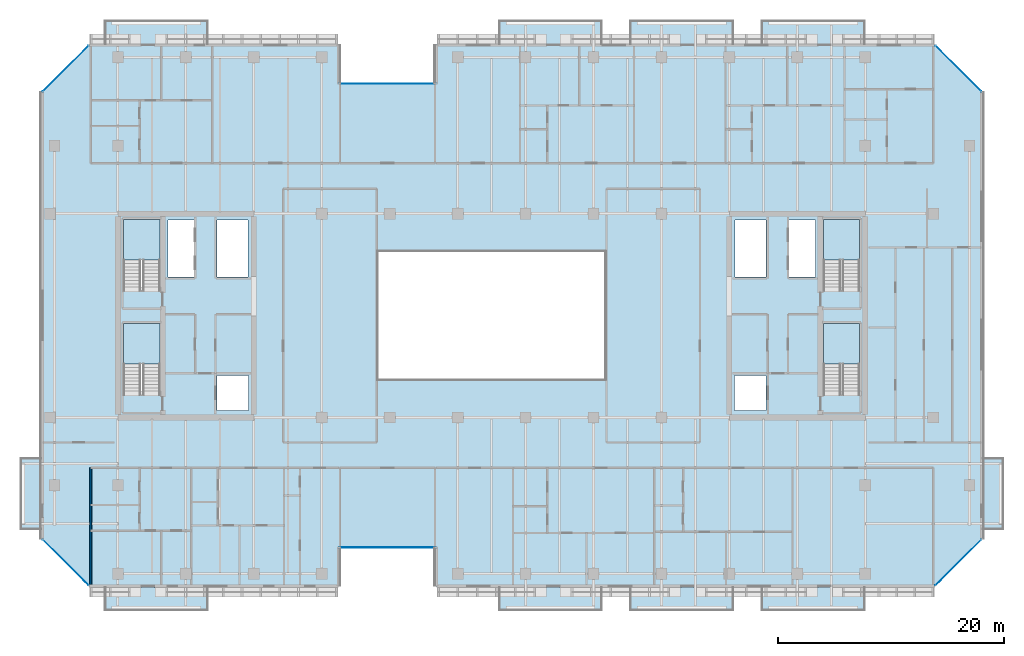
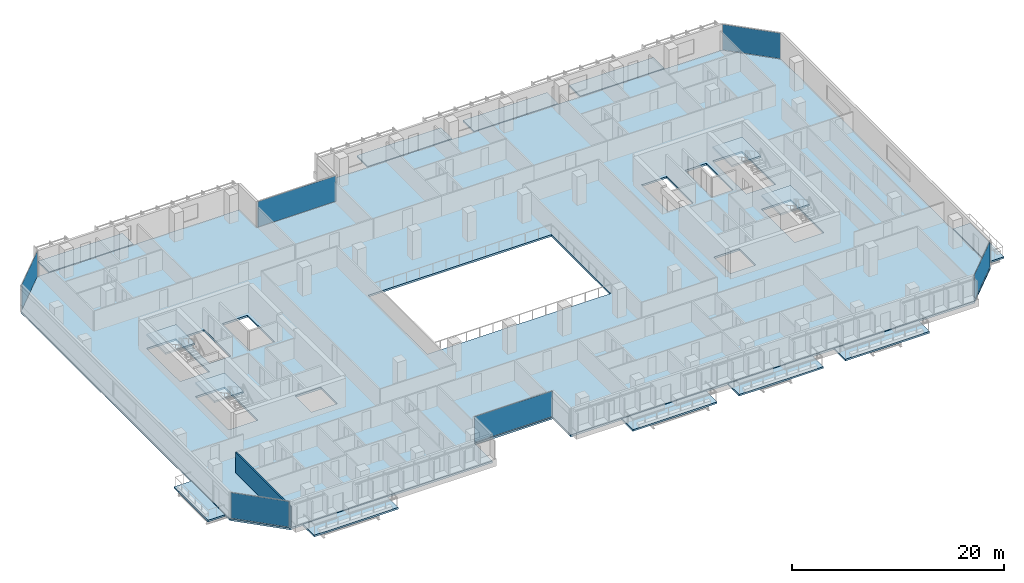
# One storey, part 20 of 33: 15 slabs, 6 plates, 1 wall, 10 elements without a shape of their own.
"""IFC4 building model written with IfcOpenShell, lengths in metres."""

from ifc_helpers import new_model, si_unit, direction, frame, frame_2d, origin, origin_2d, place, context, subcontext, project, spatial, polyline, rectangle, outline, extrude, material, layer, layer_set, type_object, element, aggregate, save


model = new_model("IFC4")

# Units and contexts
model_context = context("Model", 3, precision=1e-05, world=origin(), true_north=direction((0.0, 1.0)))
body_context = subcontext(model_context, "Body", "Model", "MODEL_VIEW")
ifc_project = project(units=[si_unit("LENGTHUNIT", "METRE"), si_unit("AREAUNIT", "SQUARE_METRE"), si_unit("VOLUMEUNIT", "CUBIC_METRE"), si_unit("PLANEANGLEUNIT", "RADIAN"), si_unit("MASSUNIT", "GRAM", prefix="KILO")], contexts=[model_context])

# Site, building, storey
site_placement = place(None, origin())
site = spatial("IfcSite", under=ifc_project, at=site_placement, CompositionType="ELEMENT")
building_placement = place(site_placement, origin())
building = spatial("IfcBuilding", under=site, at=building_placement, Name="Tanjung Sevakor Pilgrim Tower", CompositionType="ELEMENT")
storey_placement = place(building_placement, frame((0.0, 0.0, 95.3701171875)))
storey = spatial("IfcBuildingStorey", under=building, at=storey_placement, Name="L26", CompositionType="ELEMENT", Elevation=95.3701171875)

# Slabs
ifc_material_1 = material(Name="Concrete C40/50", Category="concrete")
ifc_layer_1 = layer(ifc_material_1, 0.199951171875)
ifc_layer_set_1 = layer_set([ifc_layer_1], Name="SL-BAL-200")
slab_type_1 = type_object("IfcSlabType", Name="SL-BAL-200", PredefinedType="FLOOR", material=ifc_layer_set_1)
slab_1_placement = place(storey_placement, frame((0.0, 0.0, -0.2001953125)))
element("IfcSlab", 1, at=slab_1_placement, inside=storey, type_object=slab_type_1, Name="L26 Planted Loggia Balcony MAIN-S1", PredefinedType="FLOOR", context=body_context, shape_type="SweptSolid", body=[
    extrude(outline(polyline([(22.800048828125, 7.5), (32.0, 7.5), (32.0, 9.60009765625), (22.800048828125, 9.60009765625), (22.800048828125, 7.5)])), origin(), (0.0, 0.0, 1.0), 0.2001953125),
])
slab_2_placement = place(storey_placement, frame((0.0, 0.0, -0.2001953125)))
element("IfcSlab", 2, at=slab_2_placement, inside=storey, type_object=slab_type_1, Name="L26 Planted Loggia Balcony MAIN-N1", PredefinedType="FLOOR", context=body_context, shape_type="SweptSolid", body=[
    extrude(outline(polyline([(22.800048828125, 57.60009765625), (32.0, 57.60009765625), (32.0, 59.699951171875), (22.800048828125, 59.699951171875), (22.800048828125, 57.60009765625)])), origin(), (0.0, 0.0, 1.0), 0.2001953125),
])
slab_3_placement = place(storey_placement, frame((0.0, 0.0, -0.2001953125)))
element("IfcSlab", 3, at=slab_3_placement, inside=storey, type_object=slab_type_1, Name="L26 Planted Loggia Balcony MAIN-S2", PredefinedType="FLOOR", context=body_context, shape_type="SweptSolid", body=[
    extrude(outline(polyline([(57.60009765625, 7.5), (66.800048828125, 7.5), (66.800048828125, 9.60009765625), (57.60009765625, 9.60009765625), (57.60009765625, 7.5)])), origin(), (0.0, 0.0, 1.0), 0.2001953125),
])
slab_4_placement = place(storey_placement, frame((0.0, 0.0, -0.2001953125)))
element("IfcSlab", 4, at=slab_4_placement, inside=storey, type_object=slab_type_1, Name="L26 Planted Loggia Balcony MAIN-N2", PredefinedType="FLOOR", context=body_context, shape_type="SweptSolid", body=[
    extrude(outline(polyline([(57.60009765625, 57.60009765625), (66.800048828125, 57.60009765625), (66.800048828125, 59.699951171875), (57.60009765625, 59.699951171875), (57.60009765625, 57.60009765625)])), origin(), (0.0, 0.0, 1.0), 0.2001953125),
])
slab_5_placement = place(storey_placement, frame((0.0, 0.0, -0.2001953125)))
element("IfcSlab", 5, at=slab_5_placement, inside=storey, type_object=slab_type_1, Name="L26 Planted Loggia Balcony MAIN-S3", PredefinedType="FLOOR", context=body_context, shape_type="SweptSolid", body=[
    extrude(outline(polyline([(69.199951171875, 7.5), (78.39990234375, 7.5), (78.39990234375, 9.60009765625), (69.199951171875, 9.60009765625), (69.199951171875, 7.5)])), origin(), (0.0, 0.0, 1.0), 0.2001953125),
])
slab_6_placement = place(storey_placement, frame((0.0, 0.0, -0.2001953125)))
element("IfcSlab", 6, at=slab_6_placement, inside=storey, type_object=slab_type_1, Name="L26 Planted Loggia Balcony MAIN-N3", PredefinedType="FLOOR", context=body_context, shape_type="SweptSolid", body=[
    extrude(outline(polyline([(69.199951171875, 57.60009765625), (78.39990234375, 57.60009765625), (78.39990234375, 59.699951171875), (69.199951171875, 59.699951171875), (69.199951171875, 57.60009765625)])), origin(), (0.0, 0.0, 1.0), 0.2001953125),
])
slab_7_placement = place(storey_placement, frame((0.0, 0.0, -0.2001953125)))
element("IfcSlab", 7, at=slab_7_placement, inside=storey, type_object=slab_type_1, Name="L26 Planted Loggia Balcony MAIN-S4", PredefinedType="FLOOR", context=body_context, shape_type="SweptSolid", body=[
    extrude(outline(polyline([(80.800048828125, 7.5), (90.0, 7.5), (90.0, 9.60009765625), (80.800048828125, 9.60009765625), (80.800048828125, 7.5)])), origin(), (0.0, 0.0, 1.0), 0.2001953125),
])
slab_8_placement = place(storey_placement, frame((0.0, 0.0, -0.2001953125)))
element("IfcSlab", 8, at=slab_8_placement, inside=storey, type_object=slab_type_1, Name="L26 Planted Loggia Balcony MAIN-N4", PredefinedType="FLOOR", context=body_context, shape_type="SweptSolid", body=[
    extrude(outline(polyline([(80.800048828125, 57.60009765625), (90.0, 57.60009765625), (90.0, 59.699951171875), (80.800048828125, 59.699951171875), (80.800048828125, 57.60009765625)])), origin(), (0.0, 0.0, 1.0), 0.2001953125),
])
slab_9_placement = place(storey_placement, frame((0.0, 0.0, -0.2001953125)))
element("IfcSlab", 9, at=slab_9_placement, inside=storey, type_object=slab_type_1, Name="L26 Planted Loggia Balcony MAIN-W1", PredefinedType="FLOOR", context=body_context, shape_type="SweptSolid", body=[
    extrude(outline(polyline([(15.35009765625, 14.64990234375), (17.199951171875, 14.64990234375), (17.199951171875, 21.050048828125), (15.35009765625, 21.050048828125), (15.35009765625, 14.64990234375)])), origin(), (0.0, 0.0, 1.0), 0.2001953125),
])
slab_10_placement = place(storey_placement, frame((0.0, 0.0, -0.2001953125)))
element("IfcSlab", 10, at=slab_10_placement, inside=storey, type_object=slab_type_1, Name="L26 Planted Loggia Balcony MAIN-E1", PredefinedType="FLOOR", context=body_context, shape_type="SweptSolid", body=[
    extrude(outline(polyline([(100.39990234375, 14.64990234375), (102.25, 14.64990234375), (102.25, 21.050048828125), (100.39990234375, 21.050048828125), (100.39990234375, 14.64990234375)])), origin(), (0.0, 0.0, 1.0), 0.2001953125),
])

# Stair, slab
ifc_material_2 = material(Name="Concrete C40/50", Category="concrete")
stair_type = type_object("IfcStairType", Name="STAIR-ST-CR150", PredefinedType="HALF_TURN_STAIR", material=ifc_material_2)
stair_1_placement = place(storey_placement, origin())
stair_1 = element("IfcStair", 11, at=stair_1_placement, inside=storey, type_object=stair_type, Name="L26 West Core Exit Stair 1", PredefinedType="HALF_TURN_STAIR")
ifc_material_3 = material(Name="Concrete C40/50", Category="concrete")
ifc_layer_2 = layer(ifc_material_3, 0.199951171875)
ifc_layer_set_2 = layer_set([ifc_layer_2], Name="SL-LAND-200")
slab_type_2 = type_object("IfcSlabType", Name="SL-LAND-200", PredefinedType="LANDING", material=ifc_layer_set_2)
slab_11_placement = place(storey_placement, frame((0.0, 0.0, 1.449951171875)))
slab_11 = element("IfcSlab", 12, at=slab_11_placement, type_object=slab_type_2, Name="TS-W1 landing 1", PredefinedType="LANDING", context=body_context, shape_type="SweptSolid", body=[
    extrude(outline(polyline([(27.699951171875, 29.300048828125), (27.699951171875, 32.89990234375), (24.5, 32.89990234375), (24.5, 29.300048828125), (27.699951171875, 29.300048828125)])), origin(), (0.0, 0.0, 1.0), 0.199951171875),
])
aggregate(stair_1, [slab_11])

stair_2_placement = place(storey_placement, origin())
stair_2 = element("IfcStair", 13, at=stair_2_placement, inside=storey, type_object=stair_type, Name="L26 West Core Exit Stair 2", PredefinedType="HALF_TURN_STAIR")
slab_12_placement = place(storey_placement, frame((0.0, 0.0, 1.449951171875)))
slab_12 = element("IfcSlab", 14, at=slab_12_placement, type_object=slab_type_2, Name="TS-W2 landing 1", PredefinedType="LANDING", context=body_context, shape_type="SweptSolid", body=[
    extrude(outline(polyline([(27.699951171875, 38.5), (27.699951171875, 42.10009765625), (24.5, 42.10009765625), (24.5, 38.5), (27.699951171875, 38.5)])), origin(), (0.0, 0.0, 1.0), 0.199951171875),
])
aggregate(stair_2, [slab_12])

stair_3_placement = place(storey_placement, origin())
stair_3 = element("IfcStair", 15, at=stair_3_placement, inside=storey, type_object=stair_type, Name="L26 East Core Exit Stair 1", PredefinedType="HALF_TURN_STAIR")
slab_13_placement = place(storey_placement, frame((0.0, 0.0, 1.449951171875)))
slab_13 = element("IfcSlab", 16, at=slab_13_placement, type_object=slab_type_2, Name="TS-E1 landing 1", PredefinedType="LANDING", context=body_context, shape_type="SweptSolid", body=[
    extrude(outline(polyline([(89.5, 29.300048828125), (89.5, 32.89990234375), (86.300048828125, 32.89990234375), (86.300048828125, 29.300048828125), (89.5, 29.300048828125)])), origin(), (0.0, 0.0, 1.0), 0.199951171875),
])
aggregate(stair_3, [slab_13])

stair_4_placement = place(storey_placement, origin())
stair_4 = element("IfcStair", 17, at=stair_4_placement, inside=storey, type_object=stair_type, Name="L26 East Core Exit Stair 2", PredefinedType="HALF_TURN_STAIR")
slab_14_placement = place(storey_placement, frame((0.0, 0.0, 1.449951171875)))
slab_14 = element("IfcSlab", 18, at=slab_14_placement, type_object=slab_type_2, Name="TS-E2 landing 1", PredefinedType="LANDING", context=body_context, shape_type="SweptSolid", body=[
    extrude(outline(polyline([(89.5, 38.5), (89.5, 42.10009765625), (86.300048828125, 42.10009765625), (86.300048828125, 38.5), (89.5, 38.5)])), origin(), (0.0, 0.0, 1.0), 0.199951171875),
])
aggregate(stair_4, [slab_14])

# Slab
ifc_material_4 = material(Name="Concrete C40/50", Category="concrete")
ifc_layer_3 = layer(ifc_material_4, 0.219970703125)
ifc_layer_set_3 = layer_set([ifc_layer_3], Name="SL-TWR-220")
slab_type_3 = type_object("IfcSlabType", Name="SL-TWR-220", PredefinedType="FLOOR", material=ifc_layer_set_3)
slab_15_placement = place(storey_placement, frame((0.0, 0.0, -0.22021484375)))
element("IfcSlab", 19, at=slab_15_placement, inside=storey, type_object=slab_type_3, Name="L26 Floor Slab MAIN", PredefinedType="FLOOR", context=body_context, shape_type="SweptSolid", body=[
    extrude(outline(polyline([(21.447021484375, 9.679931640625), (43.52001953125, 9.679931640625), (43.52001953125, 13.080078125), (52.080078125, 13.080078125), (52.080078125, 9.679931640625), (96.153076171875, 9.679931640625), (100.320068359375, 13.846923828125), (100.320068359375, 53.35302734375), (96.153076171875, 57.52001953125), (52.080078125, 57.52001953125), (52.080078125, 54.1201171875), (43.52001953125, 54.1201171875), (43.52001953125, 57.52001953125), (21.447021484375, 57.52001953125), (17.280029296875, 53.35302734375), (17.280029296875, 13.846923828125), (21.447021484375, 9.679931640625)]), holes=[polyline([(27.699951171875, 26.60009765625), (27.699951171875, 32.89990234375), (24.5, 32.89990234375), (24.5, 26.60009765625), (27.699951171875, 26.60009765625)]), polyline([(27.699951171875, 35.800048828125), (27.699951171875, 42.10009765625), (24.5, 42.10009765625), (24.5, 35.800048828125), (27.699951171875, 35.800048828125)]), polyline([(89.5, 26.60009765625), (89.5, 32.89990234375), (86.300048828125, 32.89990234375), (86.300048828125, 26.60009765625), (89.5, 26.60009765625)]), polyline([(89.5, 35.800048828125), (89.5, 42.10009765625), (86.300048828125, 42.10009765625), (86.300048828125, 35.800048828125), (89.5, 35.800048828125)]), polyline([(32.75, 25.199951171875), (35.550048828125, 25.199951171875), (35.550048828125, 28.300048828125), (32.75, 28.300048828125), (32.75, 25.199951171875)]), polyline([(28.39990234375, 37.0), (30.75, 37.0), (30.75, 42.050048828125), (28.39990234375, 42.050048828125), (28.39990234375, 37.0)]), polyline([(32.75, 37.0), (35.5, 37.0), (35.5, 42.050048828125), (32.75, 42.050048828125), (32.75, 37.0)]), polyline([(78.449951171875, 25.199951171875), (81.25, 25.199951171875), (81.25, 28.300048828125), (78.449951171875, 28.300048828125), (78.449951171875, 25.199951171875)]), polyline([(83.25, 37.0), (85.60009765625, 37.0), (85.60009765625, 42.050048828125), (83.25, 42.050048828125), (83.25, 37.0)]), polyline([(78.5, 37.0), (81.25, 37.0), (81.25, 42.050048828125), (78.5, 42.050048828125), (78.5, 37.0)]), polyline([(47.0, 28.0), (67.0, 28.0), (67.0, 39.199951171875), (47.0, 39.199951171875), (47.0, 28.0)])]), origin(), (0.0, 0.0, 1.0), 0.22021484375),
])

# Curtain wall, plate
ifc_material_5 = material(Name="Aluminium 6063-T6 and Low-E Glass", Category="aluminium")
ifc_layer_4 = layer(ifc_material_5, 0.179931640625)
ifc_layer_set_4 = layer_set([ifc_layer_4], Name="CW-SYS-CLEFT")
curtain_wall_type_1 = type_object("IfcCurtainWallType", Name="CW-SYS-CLEFT", PredefinedType="NOTDEFINED", material=ifc_layer_set_4)
curtain_wall_1_placement = place(storey_placement, origin())
curtain_wall_1 = element("IfcCurtainWall", 20, at=curtain_wall_1_placement, inside=storey, type_object=curtain_wall_type_1, Name="L26 Curtain Wall CW-CLF-L26-2", PredefinedType="NOTDEFINED")
ifc_material_6 = material(Name="Laminated Low-E Double Glazing", Category="glass")
ifc_layer_5 = layer(ifc_material_6, 0.028076171875)
ifc_layer_set_5 = layer_set([ifc_layer_5], Name="TYPE-CWP-GLZ1")
plate_type = type_object("IfcPlateType", Name="TYPE-CWP-GLZ1", PredefinedType="CURTAIN_PANEL", material=ifc_layer_set_5)
plate_1_placement = place(storey_placement, frame((47.800048828125, 13.125, 0.06494140625), z_axis=(0.0, 0.0, 1.0), x_axis=(1.0, 0.0, 0.0)))
plate_1 = element("IfcPlate", 21, at=plate_1_placement, type_object=plate_type, Name="CW-CLF panel 1.1", PredefinedType="CURTAIN_PANEL", context=body_context, shape_type="SweptSolid", body=[
    extrude(rectangle(XDim=8.5, YDim=0.028076171875, at=origin_2d()), origin(), (0.0, 0.0, 1.0), 2.949951171875),
])
aggregate(curtain_wall_1, [plate_1])

ifc_material_7 = material(Name="Aluminium 6063-T6 and Low-E Glass", Category="aluminium")
ifc_layer_6 = layer(ifc_material_7, 0.179931640625)
ifc_layer_set_6 = layer_set([ifc_layer_6], Name="CW-SYS-CHAM")
curtain_wall_type_2 = type_object("IfcCurtainWallType", Name="CW-SYS-CHAM", PredefinedType="NOTDEFINED", material=ifc_layer_set_6)
curtain_wall_2_placement = place(storey_placement, origin())
curtain_wall_2 = element("IfcCurtainWall", 22, at=curtain_wall_2_placement, inside=storey, type_object=curtain_wall_type_2, Name="L26 Curtain Wall CW-CHM-L26-MAIN-5", PredefinedType="NOTDEFINED")
plate_2_placement = place(storey_placement, frame((98.211669921875, 11.788330078125, 0.06494140625), z_axis=(0.0, 0.0, 1.0), x_axis=(0.707106781187, 0.707106781187, 0.0)))
plate_2 = element("IfcPlate", 23, at=plate_2_placement, type_object=plate_type, Name="CW-CHM panel 1.1", PredefinedType="CURTAIN_PANEL", context=body_context, shape_type="SweptSolid", body=[
    extrude(rectangle(XDim=5.7060546875, YDim=0.028076171875, at=origin_2d()), origin(), (0.0, 0.0, 1.0), 2.949951171875),
])
aggregate(curtain_wall_2, [plate_2])

curtain_wall_3_placement = place(storey_placement, origin())
curtain_wall_3 = element("IfcCurtainWall", 24, at=curtain_wall_3_placement, inside=storey, type_object=curtain_wall_type_2, Name="L26 Curtain Wall CW-CHM-L26-MAIN-7", PredefinedType="NOTDEFINED")
plate_3_placement = place(storey_placement, frame((98.211669921875, 55.41162109375, 0.06494140625), z_axis=(0.0, 0.0, 1.0), x_axis=(-0.707106781187, 0.707106781187, 0.0)))
plate_3 = element("IfcPlate", 25, at=plate_3_placement, type_object=plate_type, Name="CW-CHM panel 1.1", PredefinedType="CURTAIN_PANEL", context=body_context, shape_type="SweptSolid", body=[
    extrude(rectangle(XDim=5.7060546875, YDim=0.028076171875, at=origin_2d()), origin(), (0.0, 0.0, 1.0), 2.949951171875),
])
aggregate(curtain_wall_3, [plate_3])

curtain_wall_4_placement = place(storey_placement, origin())
curtain_wall_4 = element("IfcCurtainWall", 26, at=curtain_wall_4_placement, inside=storey, type_object=curtain_wall_type_1, Name="L26 Curtain Wall CW-CLF-L26-10", PredefinedType="NOTDEFINED")
plate_4_placement = place(storey_placement, frame((47.800048828125, 54.074951171875, 0.06494140625), z_axis=(0.0, 0.0, 1.0), x_axis=(-1.0, 0.0, 0.0)))
plate_4 = element("IfcPlate", 27, at=plate_4_placement, type_object=plate_type, Name="CW-CLF panel 1.1", PredefinedType="CURTAIN_PANEL", context=body_context, shape_type="SweptSolid", body=[
    extrude(rectangle(XDim=8.5, YDim=0.028076171875, at=origin_2d()), origin(), (0.0, 0.0, 1.0), 2.949951171875),
])
aggregate(curtain_wall_4, [plate_4])

curtain_wall_5_placement = place(storey_placement, origin())
curtain_wall_5 = element("IfcCurtainWall", 28, at=curtain_wall_5_placement, inside=storey, type_object=curtain_wall_type_2, Name="L26 Curtain Wall CW-CHM-L26-MAIN-13", PredefinedType="NOTDEFINED")
plate_5_placement = place(storey_placement, frame((19.388427734375, 55.41162109375, 0.06494140625), z_axis=(0.0, 0.0, 1.0), x_axis=(-0.707106781187, -0.707106781187, 0.0)))
plate_5 = element("IfcPlate", 29, at=plate_5_placement, type_object=plate_type, Name="CW-CHM panel 1.1", PredefinedType="CURTAIN_PANEL", context=body_context, shape_type="SweptSolid", body=[
    extrude(rectangle(XDim=5.7060546875, YDim=0.028076171875, at=origin_2d()), origin(), (0.0, 0.0, 1.0), 2.949951171875),
])
aggregate(curtain_wall_5, [plate_5])

curtain_wall_6_placement = place(storey_placement, origin())
curtain_wall_6 = element("IfcCurtainWall", 30, at=curtain_wall_6_placement, inside=storey, type_object=curtain_wall_type_2, Name="L26 Curtain Wall CW-CHM-L26-MAIN-15", PredefinedType="NOTDEFINED")
plate_6_placement = place(storey_placement, frame((19.388427734375, 11.788330078125, 0.06494140625), z_axis=(0.0, 0.0, 1.0), x_axis=(0.707106781187, -0.707106781187, 0.0)))
plate_6 = element("IfcPlate", 31, at=plate_6_placement, type_object=plate_type, Name="CW-CHM panel 1.1", PredefinedType="CURTAIN_PANEL", context=body_context, shape_type="SweptSolid", body=[
    extrude(rectangle(XDim=5.7060546875, YDim=0.028076171875, at=origin_2d()), origin(), (0.0, 0.0, 1.0), 2.949951171875),
])
aggregate(curtain_wall_6, [plate_6])

# Wall
ifc_material_8 = material(Name="Concrete C40/50", Category="concrete")
ifc_layer_7 = layer(ifc_material_8, 0.14990234375)
ifc_layer_set_7 = layer_set([ifc_layer_7], Name="WT-COMP-150")
wall_type = type_object("IfcWallType", Name="WT-COMP-150", PredefinedType="SOLIDWALL", material=ifc_layer_set_7)
wall_placement = place(storey_placement, frame((21.60009765625, 9.85009765625, 0.0), z_axis=(0.0, 0.0, 1.0), x_axis=(0.0, 1.0, 0.0)))
element("IfcWall", 32, at=wall_placement, inside=storey, type_object=wall_type, Name="L26 Partition IW-L26-043", PredefinedType="SOLIDWALL", context=body_context, shape_type="SweptSolid", body=[
    extrude(rectangle(XDim=10.2998046875, YDim=0.14990234375, at=frame_2d((5.14990234375, 0.0))), origin(), (0.0, 0.0, 1.0), 2.35009765625),
])

save(model, "model.ifc")
